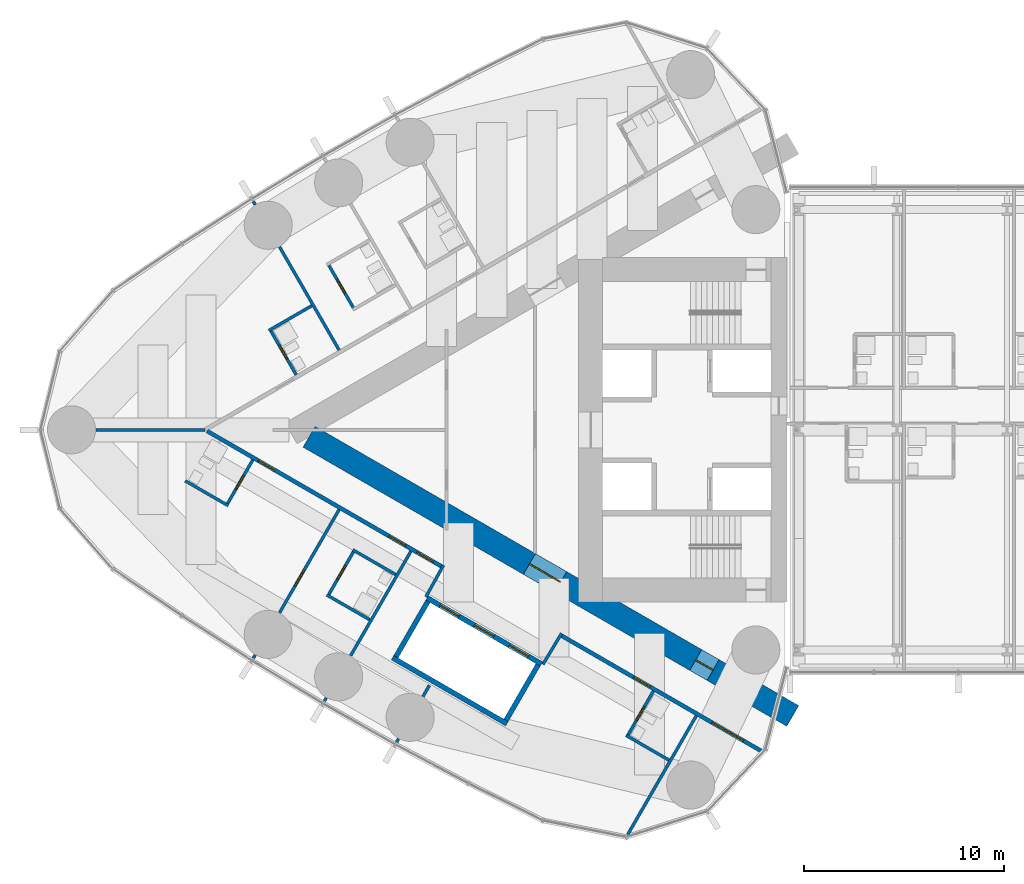
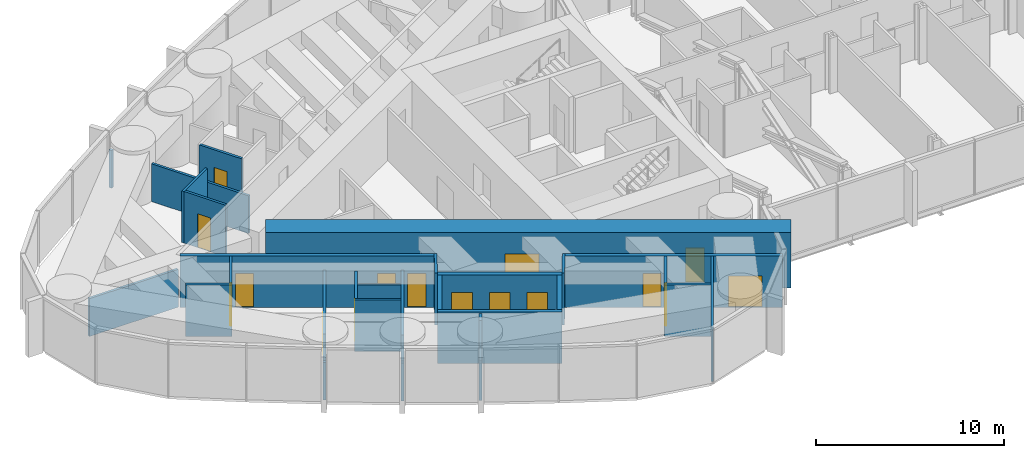
# One storey, part 14 of 23: 29 walls, 16 doors, 16 openings.
"""IFC4 building model written with IfcOpenShell, lengths in metres."""

from ifc_helpers import new_model, si_unit, direction, frame, frame_2d, origin, place, context, subcontext, project, spatial, rectangle, extrude, material, layer, layer_set, type_object, element, fill, save


model = new_model("IFC4")

# Units and contexts
model_context = context("Model", 3, precision=1e-05, world=origin(), true_north=direction((0.0, 1.0)))
body_context = subcontext(model_context, "Body", "Model", "MODEL_VIEW")
ifc_project = project(units=[si_unit("LENGTHUNIT", "METRE"), si_unit("AREAUNIT", "SQUARE_METRE"), si_unit("VOLUMEUNIT", "CUBIC_METRE"), si_unit("PLANEANGLEUNIT", "RADIAN"), si_unit("MASSUNIT", "GRAM", prefix="KILO")], contexts=[model_context])

# Site, building, storey
site_placement = place(None, origin())
site = spatial("IfcSite", under=ifc_project, at=site_placement, CompositionType="ELEMENT")
building_placement = place(site_placement, origin())
building = spatial("IfcBuilding", under=site, at=building_placement, Name="Lancet Gate Hotel", CompositionType="ELEMENT")
storey_placement = place(building_placement, frame((0.0, 0.0, 218.89990234375)))
storey = spatial("IfcBuildingStorey", under=building, at=storey_placement, Name="L58", CompositionType="ELEMENT", Elevation=218.89990234375)

# Wall, opening, door
ifc_material_1 = material(Name="Moisture resistant board partition")
ifc_layer_1 = layer(ifc_material_1, 0.14990234375)
ifc_layer_set_1 = layer_set([ifc_layer_1], Name="Bathroom wall 150")
wall_type_1 = type_object("IfcWallType", Name="Bathroom wall 150", PredefinedType="PARTITIONING", material=ifc_layer_set_1)
wall_1_placement = place(storey_placement, frame((-49.116943359375, 6.033935546875, 0.0), z_axis=(0.0, 0.0, 1.0), x_axis=(-0.500006934395, 0.866021400173, 0.0)))
wall_1 = element("IfcWall", 1, at=wall_1_placement, inside=storey, type_object=wall_type_1, Name="T1 bathroom wall 150 L58", PredefinedType="PARTITIONING", context=body_context, shape_type="SweptSolid", body=[
    extrude(rectangle(XDim=2.60009765625, YDim=0.14990234375, at=frame_2d((1.300048828125, 0.0))), origin(), (0.0, 0.0, 1.0), 3.35009765625),
])
opening_1_placement = place(wall_1_placement, frame((0.89990234375, 0.0, 0.0)))
opening_1 = element("IfcOpeningElement", 2, at=opening_1_placement, cuts=wall_1, Name="Opening 5804-B", PredefinedType="OPENING", context=body_context, shape_type="SweptSolid", body=[
    extrude(rectangle(XDim=0.800048828125, YDim=2.199951171875, at=frame_2d((0.39990234375, 1.10009765625))), frame((0.0, 0.0849609375, 0.0), z_axis=(0.0, -1.0, 0.0), x_axis=(1.0, 0.0, 0.0)), (0.0, 0.0, 1.0), 0.169921875),
])
ifc_material_2 = material(Name="Timber door set", Category="wood")
door_type_1 = type_object("IfcDoorType", Name="Bathroom door 800", OperationType="SINGLE_SWING_RIGHT", PredefinedType="DOOR", material=ifc_material_2)
door_1_placement = place(opening_1_placement, origin())
door_1 = element("IfcDoor", 3, at=door_1_placement, inside=storey, type_object=door_type_1, Name="5804-B", OperationType="SINGLE_SWING_RIGHT", OverallHeight=2.199951171875, OverallWidth=0.800048828125, PredefinedType="DOOR", context=body_context, shape_type="SweptSolid", body=[
    extrude(rectangle(XDim=0.800048828125, YDim=2.199951171875, at=frame_2d((0.39990234375, 1.10009765625))), frame((0.0, 0.02490234375, 0.0), z_axis=(0.0, -1.0, 0.0), x_axis=(1.0, 0.0, 0.0)), (0.0, 0.0, 1.0), 0.050048828125),
])
fill(opening_1, door_1)

# Wall
wall_2_placement = place(storey_placement, frame((-51.231201171875, 6.198974609375, 0.0), z_axis=(0.0, 0.0, 1.0), x_axis=(-0.866031185235, -0.4999899861, 0.0)))
element("IfcWall", 4, at=wall_2_placement, inside=storey, type_object=wall_type_1, Name="T1 bathroom wall 150 L58", PredefinedType="PARTITIONING", context=body_context, shape_type="SweptSolid", body=[
    extrude(rectangle(XDim=2.47509765625, YDim=0.14990234375, at=frame_2d((1.237548828125, 0.0))), origin(), (0.0, 0.0, 1.0), 3.35009765625),
])

# Wall, opening, door
wall_3_placement = place(storey_placement, frame((-52.009765625, 2.747314453125, 0.0), z_axis=(0.0, 0.0, 1.0), x_axis=(-0.500006934395, 0.866021400173, 0.0)))
wall_3 = element("IfcWall", 5, at=wall_3_placement, inside=storey, type_object=wall_type_1, Name="T1 bathroom wall 150 L58", PredefinedType="PARTITIONING", context=body_context, shape_type="SweptSolid", body=[
    extrude(rectangle(XDim=2.60009765625, YDim=0.14990234375, at=frame_2d((1.300048828125, 0.0))), origin(), (0.0, 0.0, 1.0), 3.35009765625),
])
opening_2_placement = place(wall_3_placement, frame((0.89990234375, 0.0, 0.0)))
opening_2 = element("IfcOpeningElement", 6, at=opening_2_placement, cuts=wall_3, Name="Opening 5805-B", PredefinedType="OPENING", context=body_context, shape_type="SweptSolid", body=[
    extrude(rectangle(XDim=0.800048828125, YDim=2.199951171875, at=frame_2d((0.39990234375, 1.10009765625))), frame((0.0, 0.0849609375, 0.0), z_axis=(0.0, -1.0, 0.0), x_axis=(1.0, 0.0, 0.0)), (0.0, 0.0, 1.0), 0.169921875),
])
door_2_placement = place(opening_2_placement, origin())
door_2 = element("IfcDoor", 7, at=door_2_placement, inside=storey, type_object=door_type_1, Name="5805-B", OperationType="SINGLE_SWING_RIGHT", OverallHeight=2.199951171875, OverallWidth=0.800048828125, PredefinedType="DOOR", context=body_context, shape_type="SweptSolid", body=[
    extrude(rectangle(XDim=0.800048828125, YDim=2.199951171875, at=frame_2d((0.39990234375, 1.10009765625))), frame((0.0, 0.02490234375, 0.0), z_axis=(0.0, -1.0, 0.0), x_axis=(1.0, 0.0, 0.0)), (0.0, 0.0, 1.0), 0.050048828125),
])
fill(opening_2, door_2)

# Wall
wall_4_placement = place(storey_placement, frame((-55.4111328125, -3.785888671875, 0.0), z_axis=(0.0, 0.0, 1.0), x_axis=(-0.866006523861, 0.500032699561, 0.0)))
element("IfcWall", 8, at=wall_4_placement, inside=storey, type_object=wall_type_1, Name="T1 bathroom wall 150 L58", PredefinedType="PARTITIONING", context=body_context, shape_type="SweptSolid", body=[
    extrude(rectangle(XDim=2.474853515625, YDim=0.14990234375, at=frame_2d((1.2373046875, 0.0))), origin(), (0.0, 0.0, 1.0), 3.35009765625),
])

# Wall, opening, door
wall_5_placement = place(storey_placement, frame((-54.176025390625, -1.49658203125, 0.0), z_axis=(0.0, 0.0, 1.0), x_axis=(-0.500006934395, -0.866021400173, 0.0)))
wall_5 = element("IfcWall", 9, at=wall_5_placement, inside=storey, type_object=wall_type_1, Name="T1 bathroom wall 150 L58", PredefinedType="PARTITIONING", context=body_context, shape_type="SweptSolid", body=[
    extrude(rectangle(XDim=2.60009765625, YDim=0.14990234375, at=frame_2d((1.300048828125, 0.0))), origin(), (0.0, 0.0, 1.0), 3.35009765625),
])
opening_3_placement = place(wall_5_placement, frame((0.89990234375, 0.0, 0.0)))
opening_3 = element("IfcOpeningElement", 10, at=opening_3_placement, cuts=wall_5, Name="Opening 5806-B", PredefinedType="OPENING", context=body_context, shape_type="SweptSolid", body=[
    extrude(rectangle(XDim=0.800048828125, YDim=2.199951171875, at=frame_2d((0.39990234375, 1.10009765625))), frame((0.0, 0.0849609375, 0.0), z_axis=(0.0, -1.0, 0.0), x_axis=(1.0, 0.0, 0.0)), (0.0, 0.0, 1.0), 0.169921875),
])
door_3_placement = place(opening_3_placement, origin())
door_3 = element("IfcDoor", 11, at=door_3_placement, inside=storey, type_object=door_type_1, Name="5806-B", OperationType="SINGLE_SWING_RIGHT", OverallHeight=2.199951171875, OverallWidth=0.800048828125, PredefinedType="DOOR", context=body_context, shape_type="SweptSolid", body=[
    extrude(rectangle(XDim=0.800048828125, YDim=2.199951171875, at=frame_2d((0.39990234375, 1.10009765625))), frame((0.0, 0.02490234375, 0.0), z_axis=(0.0, -1.0, 0.0), x_axis=(1.0, 0.0, 0.0)), (0.0, 0.0, 1.0), 0.050048828125),
])
fill(opening_3, door_3)

# Wall
wall_6_placement = place(storey_placement, frame((-48.338623046875, -9.485595703125, 0.0), z_axis=(0.0, 0.0, 1.0), x_axis=(-0.866006523861, 0.500032699561, 0.0)))
element("IfcWall", 12, at=wall_6_placement, inside=storey, type_object=wall_type_1, Name="T1 bathroom wall 150 L58", PredefinedType="PARTITIONING", context=body_context, shape_type="SweptSolid", body=[
    extrude(rectangle(XDim=2.474853515625, YDim=0.14990234375, at=frame_2d((1.2373046875, 0.0))), origin(), (0.0, 0.0, 1.0), 3.35009765625),
])

# Wall, opening, door
wall_7_placement = place(storey_placement, frame((-49.116943359375, -6.033935546875, 0.0), z_axis=(0.0, 0.0, 1.0), x_axis=(-0.500006934395, -0.866021400173, 0.0)))
wall_7 = element("IfcWall", 13, at=wall_7_placement, inside=storey, type_object=wall_type_1, Name="T1 bathroom wall 150 L58", PredefinedType="PARTITIONING", context=body_context, shape_type="SweptSolid", body=[
    extrude(rectangle(XDim=2.60009765625, YDim=0.14990234375, at=frame_2d((1.300048828125, 0.0))), origin(), (0.0, 0.0, 1.0), 3.35009765625),
])
opening_4_placement = place(wall_7_placement, frame((0.89990234375, 0.0, 0.0)))
opening_4 = element("IfcOpeningElement", 14, at=opening_4_placement, cuts=wall_7, Name="Opening 5807-B", PredefinedType="OPENING", context=body_context, shape_type="SweptSolid", body=[
    extrude(rectangle(XDim=0.800048828125, YDim=2.199951171875, at=frame_2d((0.39990234375, 1.10009765625))), frame((0.0, 0.0849609375, 0.0), z_axis=(0.0, -1.0, 0.0), x_axis=(1.0, 0.0, 0.0)), (0.0, 0.0, 1.0), 0.169921875),
])
door_4_placement = place(opening_4_placement, origin())
door_4 = element("IfcDoor", 15, at=door_4_placement, inside=storey, type_object=door_type_1, Name="5807-B", OperationType="SINGLE_SWING_RIGHT", OverallHeight=2.199951171875, OverallWidth=0.800048828125, PredefinedType="DOOR", context=body_context, shape_type="SweptSolid", body=[
    extrude(rectangle(XDim=0.800048828125, YDim=2.199951171875, at=frame_2d((0.39990234375, 1.10009765625))), frame((0.0, 0.02490234375, 0.0), z_axis=(0.0, -1.0, 0.0), x_axis=(1.0, 0.0, 0.0)), (0.0, 0.0, 1.0), 0.050048828125),
])
fill(opening_4, door_4)

# Walls
wall_8_placement = place(storey_placement, frame((-47.03857421875, -7.23388671875, 0.0), z_axis=(0.0, 0.0, 1.0), x_axis=(-0.866073894602, 0.499916002032, 0.0)))
element("IfcWall", 16, at=wall_8_placement, inside=storey, type_object=wall_type_1, Name="T1 bathroom wall 150 L58", PredefinedType="PARTITIONING", context=body_context, shape_type="SweptSolid", body=[
    extrude(rectangle(XDim=2.47509765625, YDim=0.14990234375, at=frame_2d((1.237548828125, 0.0))), origin(), (0.0, 0.0, 1.0), 2.5),
])
wall_9_placement = place(storey_placement, frame((-33.38671875, -16.501708984375, 0.0), z_axis=(0.0, 0.0, 1.0), x_axis=(-0.866006523861, 0.500032699561, 0.0)))
element("IfcWall", 17, at=wall_9_placement, inside=storey, type_object=wall_type_1, Name="T1 bathroom wall 150 L58", PredefinedType="PARTITIONING", context=body_context, shape_type="SweptSolid", body=[
    extrude(rectangle(XDim=2.474853515625, YDim=0.14990234375, at=frame_2d((1.2373046875, 0.0))), origin(), (0.0, 0.0, 1.0), 3.35009765625),
])

# Wall, opening, door
wall_10_placement = place(storey_placement, frame((-34.1650390625, -13.050048828125, 0.0), z_axis=(0.0, 0.0, 1.0), x_axis=(-0.500047596559, -0.865997922154, 0.0)))
wall_10 = element("IfcWall", 18, at=wall_10_placement, inside=storey, type_object=wall_type_1, Name="T1 bathroom wall 150 L58", PredefinedType="PARTITIONING", context=body_context, shape_type="SweptSolid", body=[
    extrude(rectangle(XDim=2.599853515625, YDim=0.14990234375, at=frame_2d((1.2998046875, 0.0))), origin(), (0.0, 0.0, 1.0), 3.35009765625),
])
opening_5_placement = place(wall_10_placement, frame((0.89990234375, 0.0, 0.0)))
opening_5 = element("IfcOpeningElement", 19, at=opening_5_placement, cuts=wall_10, Name="Opening 5809-B", PredefinedType="OPENING", context=body_context, shape_type="SweptSolid", body=[
    extrude(rectangle(XDim=0.800048828125, YDim=2.199951171875, at=frame_2d((0.39990234375, 1.10009765625))), frame((0.0, 0.0849609375, 0.0), z_axis=(0.0, -1.0, 0.0), x_axis=(1.0, 0.0, 0.0)), (0.0, 0.0, 1.0), 0.169921875),
])
door_5_placement = place(opening_5_placement, origin())
door_5 = element("IfcDoor", 20, at=door_5_placement, inside=storey, type_object=door_type_1, Name="5809-B", OperationType="SINGLE_SWING_RIGHT", OverallHeight=2.199951171875, OverallWidth=0.800048828125, PredefinedType="DOOR", context=body_context, shape_type="SweptSolid", body=[
    extrude(rectangle(XDim=0.800048828125, YDim=2.199951171875, at=frame_2d((0.39990234375, 1.10009765625))), frame((0.0, 0.02490234375, 0.0), z_axis=(0.0, -1.0, 0.0), x_axis=(1.0, 0.0, 0.0)), (0.0, 0.0, 1.0), 0.050048828125),
])
fill(opening_5, door_5)

# Wall, openings, doors
ifc_material_3 = material(Name="Concrete C70/85", Category="concrete")
ifc_layer_2 = layer(ifc_material_3, 1.199951171875)
ifc_layer_set_2 = layer_set([ifc_layer_2], Name="Buttress wall 1200")
wall_type_2 = type_object("IfcWallType", Name="Buttress wall 1200", PredefinedType="SHEAR", material=ifc_layer_set_2)
wall_11_placement = place(storey_placement, frame((-27.199951171875, -14.300048828125, 0.0), z_axis=(0.0, 0.0, 1.0), x_axis=(-0.866024021859, 0.500002393557, 0.0)))
wall_11 = element("IfcWall", 21, at=wall_11_placement, inside=storey, type_object=wall_type_2, Name="T1 buttress wall N L58", PredefinedType="SHEAR", context=body_context, shape_type="SweptSolid", body=[
    extrude(rectangle(XDim=27.906982421875, YDim=1.199951171875, at=frame_2d((13.95361328125, 0.0))), origin(), (0.0, 0.0, 1.0), 3.60009765625),
])
opening_6_placement = place(wall_11_placement, frame((4.60009765625, 0.0, 0.0)))
opening_6 = element("IfcOpeningElement", 22, at=opening_6_placement, cuts=wall_11, Name="Opening T1-L58-LN", PredefinedType="OPENING", context=body_context, shape_type="SweptSolid", body=[
    extrude(rectangle(XDim=1.0, YDim=2.199951171875, at=frame_2d((0.5, 1.10009765625))), frame((0.0, 0.60986328125, 0.0), z_axis=(0.0, -1.0, 0.0), x_axis=(1.0, 0.0, 0.0)), (0.0, 0.0, 1.0), 1.219970703125),
])
opening_7_placement = place(wall_11_placement, frame((13.39453125, 0.0, 0.0)))
opening_7 = element("IfcOpeningElement", 23, at=opening_7_placement, cuts=wall_11, Name="Opening T1-L58-LHN", PredefinedType="OPENING", context=body_context, shape_type="SweptSolid", body=[
    extrude(rectangle(XDim=1.800048828125, YDim=2.199951171875, at=frame_2d((0.89990234375, 1.10009765625))), frame((0.0, 0.60986328125, 0.0), z_axis=(0.0, -1.0, 0.0), x_axis=(1.0, 0.0, 0.0)), (0.0, 0.0, 1.0), 1.219970703125),
])
ifc_material_4 = material(Name="Timber door set", Category="wood")
door_type_2 = type_object("IfcDoorType", Name="Lobby double door 1800", OperationType="DOUBLE_DOOR_SINGLE_SWING", PredefinedType="DOOR", material=ifc_material_4)
door_6_placement = place(opening_7_placement, origin())
door_6 = element("IfcDoor", 24, at=door_6_placement, inside=storey, type_object=door_type_2, Name="T1-L58-LHN", OperationType="DOUBLE_DOOR_SINGLE_SWING", OverallHeight=2.199951171875, OverallWidth=1.800048828125, PredefinedType="DOOR", context=body_context, shape_type="SweptSolid", body=[
    extrude(rectangle(XDim=1.800048828125, YDim=2.199951171875, at=frame_2d((0.89990234375, 1.10009765625))), frame((0.0, 0.02490234375, 0.0), z_axis=(0.0, -1.0, 0.0), x_axis=(1.0, 0.0, 0.0)), (0.0, 0.0, 1.0), 0.050048828125),
])
fill(opening_7, door_6)
ifc_material_5 = material(Name="Timber door set", Category="wood")
door_type_3 = type_object("IfcDoorType", Name="Stair lobby door 1000", OperationType="SINGLE_SWING_LEFT", PredefinedType="DOOR", material=ifc_material_5)
door_7_placement = place(opening_6_placement, origin())
door_7 = element("IfcDoor", 25, at=door_7_placement, inside=storey, type_object=door_type_3, Name="T1-L58-LN", OperationType="SINGLE_SWING_LEFT", OverallHeight=2.199951171875, OverallWidth=1.0, PredefinedType="DOOR", context=body_context, shape_type="SweptSolid", body=[
    extrude(rectangle(XDim=1.0, YDim=2.199951171875, at=frame_2d((0.5, 1.10009765625))), frame((0.0, 0.02490234375, 0.0), z_axis=(0.0, -1.0, 0.0), x_axis=(1.0, 0.0, 0.0)), (0.0, 0.0, 1.0), 0.050048828125),
])
fill(opening_6, door_7)

ifc_material_6 = material(Name="Gypsum board partition")
ifc_layer_3 = layer(ifc_material_6, 0.199951171875)
ifc_layer_set_3 = layer_set([ifc_layer_3], Name="Corridor wall 200")
wall_type_3 = type_object("IfcWallType", Name="Corridor wall 200", PredefinedType="PARTITIONING", material=ifc_layer_set_3)
wall_12_placement = place(storey_placement, frame((-28.737060546875, -16.068359375, 0.0), z_axis=(0.0, 0.0, 1.0), x_axis=(-0.866029399323, 0.49999307946, 0.0)))
wall_12 = element("IfcWall", 26, at=wall_12_placement, inside=storey, type_object=wall_type_3, Name="T1 corridor wall 200 L58", PredefinedType="PARTITIONING", context=body_context, shape_type="SweptSolid", body=[
    extrude(rectangle(XDim=11.609619140625, YDim=0.199951171875, at=frame_2d((5.8046875, 0.0))), origin(), (0.0, 0.0, 1.0), 3.35009765625),
])
opening_8_placement = place(wall_12_placement, frame((1.080078125, 0.0, 0.0)))
opening_8 = element("IfcOpeningElement", 27, at=opening_8_placement, cuts=wall_12, Name="Opening 5810-E", PredefinedType="OPENING", context=body_context, shape_type="SweptSolid", body=[
    extrude(rectangle(XDim=1.800048828125, YDim=2.030029296875, at=frame_2d((0.89990234375, 1.01513671875))), frame((0.0, 0.10986328125, 0.0), z_axis=(0.0, -1.0, 0.0), x_axis=(1.0, 0.0, 0.0)), (0.0, 0.0, 1.0), 0.219970703125),
])
opening_9_placement = place(wall_12_placement, frame((6.460205078125, 0.0, 0.0)))
opening_9 = element("IfcOpeningElement", 28, at=opening_9_placement, cuts=wall_12, Name="Opening 5809-E", PredefinedType="OPENING", context=body_context, shape_type="SweptSolid", body=[
    extrude(rectangle(XDim=0.949951171875, YDim=2.199951171875, at=frame_2d((0.47509765625, 1.10009765625))), frame((0.0, 0.10986328125, 0.0), z_axis=(0.0, -1.0, 0.0), x_axis=(1.0, 0.0, 0.0)), (0.0, 0.0, 1.0), 0.219970703125),
])
ifc_material_7 = material(Name="Timber door set", Category="wood")
door_type_4 = type_object("IfcDoorType", Name="Double door 1800, 2030 high", OperationType="DOUBLE_DOOR_SINGLE_SWING", PredefinedType="DOOR", material=ifc_material_7)
door_8_placement = place(opening_8_placement, origin())
door_8 = element("IfcDoor", 29, at=door_8_placement, inside=storey, type_object=door_type_4, Name="5810-E", OperationType="DOUBLE_DOOR_SINGLE_SWING", OverallHeight=2.030029296875, OverallWidth=1.800048828125, PredefinedType="DOOR", context=body_context, shape_type="SweptSolid", body=[
    extrude(rectangle(XDim=1.800048828125, YDim=2.030029296875, at=frame_2d((0.89990234375, 1.01513671875))), frame((0.0, 0.02490234375, 0.0), z_axis=(0.0, -1.0, 0.0), x_axis=(1.0, 0.0, 0.0)), (0.0, 0.0, 1.0), 0.050048828125),
])
fill(opening_8, door_8)
ifc_material_8 = material(Name="Timber door set", Category="wood")
door_type_5 = type_object("IfcDoorType", Name="Guest room entry door 950", OperationType="SINGLE_SWING_LEFT", PredefinedType="DOOR", material=ifc_material_8)
door_9_placement = place(opening_9_placement, origin())
door_9 = element("IfcDoor", 30, at=door_9_placement, inside=storey, type_object=door_type_5, Name="5809-E", OperationType="SINGLE_SWING_LEFT", OverallHeight=2.199951171875, OverallWidth=0.949951171875, PredefinedType="DOOR", context=body_context, shape_type="SweptSolid", body=[
    extrude(rectangle(XDim=0.949951171875, YDim=2.199951171875, at=frame_2d((0.47509765625, 1.10009765625))), frame((0.0, 0.02490234375, 0.0), z_axis=(0.0, -1.0, 0.0), x_axis=(1.0, 0.0, 0.0)), (0.0, 0.0, 1.0), 0.050048828125),
])
fill(opening_9, door_9)

wall_13_placement = place(storey_placement, frame((-44.715087890625, -6.843505859375, 0.0), z_axis=(0.0, 0.0, 1.0), x_axis=(-0.866025261224, 0.500000246922, 0.0)))
wall_13 = element("IfcWall", 31, at=wall_13_placement, inside=storey, type_object=wall_type_3, Name="T1 corridor wall 200 L58", PredefinedType="PARTITIONING", context=body_context, shape_type="SweptSolid", body=[
    extrude(rectangle(XDim=13.56689453125, YDim=0.199951171875, at=frame_2d((6.783447265625, 0.0))), origin(), (0.0, 0.0, 1.0), 3.35009765625),
])
opening_10_placement = place(wall_13_placement, frame((9.6669921875, 0.0, 0.0)))
opening_10 = element("IfcOpeningElement", 32, at=opening_10_placement, cuts=wall_13, Name="Opening 5806-E", PredefinedType="OPENING", context=body_context, shape_type="SweptSolid", body=[
    extrude(rectangle(XDim=0.949951171875, YDim=2.199951171875, at=frame_2d((0.47509765625, 1.10009765625))), frame((0.0, 0.10986328125, 0.0), z_axis=(0.0, -1.0, 0.0), x_axis=(1.0, 0.0, 0.0)), (0.0, 0.0, 1.0), 0.219970703125),
])
opening_11_placement = place(wall_13_placement, frame((2.116943359375, 0.0, 0.0)))
opening_11 = element("IfcOpeningElement", 33, at=opening_11_placement, cuts=wall_13, Name="Opening 5807-E", PredefinedType="OPENING", context=body_context, shape_type="SweptSolid", body=[
    extrude(rectangle(XDim=0.949951171875, YDim=2.199951171875, at=frame_2d((0.47509765625, 1.10009765625))), frame((0.0, 0.10986328125, 0.0), z_axis=(0.0, -1.0, 0.0), x_axis=(1.0, 0.0, 0.0)), (0.0, 0.0, 1.0), 0.219970703125),
])
opening_12_placement = place(wall_13_placement, frame((0.5, 0.0, 0.0)))
opening_12 = element("IfcOpeningElement", 34, at=opening_12_placement, cuts=wall_13, Name="Opening T1-L58-LO1", PredefinedType="OPENING", context=body_context, shape_type="SweptSolid", body=[
    extrude(rectangle(XDim=0.967041015625, YDim=2.199951171875, at=frame_2d((0.4833984375, 1.10009765625))), frame((0.0, 0.10986328125, 0.0), z_axis=(0.0, -1.0, 0.0), x_axis=(1.0, 0.0, 0.0)), (0.0, 0.0, 1.0), 0.219970703125),
])
door_10_placement = place(opening_10_placement, origin())
door_10 = element("IfcDoor", 35, at=door_10_placement, inside=storey, type_object=door_type_5, Name="5806-E", OperationType="SINGLE_SWING_LEFT", OverallHeight=2.199951171875, OverallWidth=0.949951171875, PredefinedType="DOOR", context=body_context, shape_type="SweptSolid", body=[
    extrude(rectangle(XDim=0.949951171875, YDim=2.199951171875, at=frame_2d((0.47509765625, 1.10009765625))), frame((0.0, 0.02490234375, 0.0), z_axis=(0.0, -1.0, 0.0), x_axis=(1.0, 0.0, 0.0)), (0.0, 0.0, 1.0), 0.050048828125),
])
fill(opening_10, door_10)
door_11_placement = place(opening_11_placement, origin())
door_11 = element("IfcDoor", 36, at=door_11_placement, inside=storey, type_object=door_type_5, Name="5807-E", OperationType="SINGLE_SWING_LEFT", OverallHeight=2.199951171875, OverallWidth=0.949951171875, PredefinedType="DOOR", context=body_context, shape_type="SweptSolid", body=[
    extrude(rectangle(XDim=0.949951171875, YDim=2.199951171875, at=frame_2d((0.47509765625, 1.10009765625))), frame((0.0, 0.02490234375, 0.0), z_axis=(0.0, -1.0, 0.0), x_axis=(1.0, 0.0, 0.0)), (0.0, 0.0, 1.0), 0.050048828125),
])
fill(opening_11, door_11)
door_12_placement = place(opening_12_placement, origin())
door_12 = element("IfcDoor", 37, at=door_12_placement, inside=storey, type_object=door_type_5, Name="T1-L58-LO1", OperationType="SINGLE_SWING_LEFT", OverallHeight=2.199951171875, OverallWidth=0.967041015625, PredefinedType="DOOR", context=body_context, shape_type="SweptSolid", body=[
    extrude(rectangle(XDim=0.967041015625, YDim=2.199951171875, at=frame_2d((0.4833984375, 1.10009765625))), frame((0.0, 0.02490234375, 0.0), z_axis=(0.0, -1.0, 0.0), x_axis=(1.0, 0.0, 0.0)), (0.0, 0.0, 1.0), 0.050048828125),
])
fill(opening_12, door_12)

ifc_material_9 = material(Name="Gypsum board partition")
ifc_layer_4 = layer(ifc_material_9, 0.25)
ifc_layer_set_4 = layer_set([ifc_layer_4], Name="Lift shaft partition 250")
wall_type_4 = type_object("IfcWallType", Name="Lift shaft partition 250", PredefinedType="PARTITIONING", material=ifc_layer_set_4)
wall_14_placement = place(storey_placement, frame((-39.757568359375, -11.697265625, 0.0), z_axis=(0.0, 0.0, 1.0), x_axis=(-0.866024194504, 0.500002094529, 0.0)))
wall_14 = element("IfcWall", 38, at=wall_14_placement, inside=storey, type_object=wall_type_4, Name="T1 lift shaft wall HL L58", PredefinedType="PARTITIONING", context=body_context, shape_type="SweptSolid", body=[
    extrude(rectangle(XDim=6.60009765625, YDim=0.25, at=frame_2d((3.300048828125, 0.0))), origin(), (0.0, 0.0, 1.0), 3.35009765625),
])
opening_13_placement = place(wall_14_placement, frame((0.75, 0.0, 0.0)))
opening_13 = element("IfcOpeningElement", 39, at=opening_13_placement, cuts=wall_14, Name="Opening T1-HL1-L58", PredefinedType="OPENING", context=body_context, shape_type="SweptSolid", body=[
    extrude(rectangle(XDim=1.10009765625, YDim=2.199951171875, at=frame_2d((0.550048828125, 1.10009765625))), frame((0.0, 0.135009765625, 0.0), z_axis=(0.0, -1.0, 0.0), x_axis=(1.0, 0.0, 0.0)), (0.0, 0.0, 1.0), 0.27001953125),
])
opening_14_placement = place(wall_14_placement, frame((2.75, 0.0, 0.0)))
opening_14 = element("IfcOpeningElement", 40, at=opening_14_placement, cuts=wall_14, Name="Opening T1-HL2-L58", PredefinedType="OPENING", context=body_context, shape_type="SweptSolid", body=[
    extrude(rectangle(XDim=1.10009765625, YDim=2.199951171875, at=frame_2d((0.550048828125, 1.10009765625))), frame((0.0, 0.135009765625, 0.0), z_axis=(0.0, -1.0, 0.0), x_axis=(1.0, 0.0, 0.0)), (0.0, 0.0, 1.0), 0.27001953125),
])
opening_15_placement = place(wall_14_placement, frame((4.75, 0.0, 0.0)))
opening_15 = element("IfcOpeningElement", 41, at=opening_15_placement, cuts=wall_14, Name="Opening T1-HL3-L58", PredefinedType="OPENING", context=body_context, shape_type="SweptSolid", body=[
    extrude(rectangle(XDim=1.10009765625, YDim=2.199951171875, at=frame_2d((0.550048828125, 1.10009765625))), frame((0.0, 0.135009765625, 0.0), z_axis=(0.0, -1.0, 0.0), x_axis=(1.0, 0.0, 0.0)), (0.0, 0.0, 1.0), 0.27001953125),
])
ifc_material_10 = material(Name="Steel door set", Category="steel")
door_type_6 = type_object("IfcDoorType", Name="Lift landing door 1100", OperationType="DOUBLE_DOOR_SLIDING", PredefinedType="USERDEFINED", material=ifc_material_10)
door_13_placement = place(opening_13_placement, origin())
door_13 = element("IfcDoor", 42, at=door_13_placement, inside=storey, type_object=door_type_6, Name="T1-HL1-L58", ObjectType="LIFT LANDING DOOR", OperationType="DOUBLE_DOOR_SLIDING", OverallHeight=2.199951171875, OverallWidth=1.10009765625, PredefinedType="USERDEFINED", context=body_context, shape_type="SweptSolid", body=[
    extrude(rectangle(XDim=1.10009765625, YDim=2.199951171875, at=frame_2d((0.550048828125, 1.10009765625))), frame((0.0, 0.02490234375, 0.0), z_axis=(0.0, -1.0, 0.0), x_axis=(1.0, 0.0, 0.0)), (0.0, 0.0, 1.0), 0.050048828125),
])
fill(opening_13, door_13)
door_14_placement = place(opening_14_placement, origin())
door_14 = element("IfcDoor", 43, at=door_14_placement, inside=storey, type_object=door_type_6, Name="T1-HL2-L58", ObjectType="LIFT LANDING DOOR", OperationType="DOUBLE_DOOR_SLIDING", OverallHeight=2.199951171875, OverallWidth=1.10009765625, PredefinedType="USERDEFINED", context=body_context, shape_type="SweptSolid", body=[
    extrude(rectangle(XDim=1.10009765625, YDim=2.199951171875, at=frame_2d((0.550048828125, 1.10009765625))), frame((0.0, 0.02490234375, 0.0), z_axis=(0.0, -1.0, 0.0), x_axis=(1.0, 0.0, 0.0)), (0.0, 0.0, 1.0), 0.050048828125),
])
fill(opening_14, door_14)
door_15_placement = place(opening_15_placement, origin())
door_15 = element("IfcDoor", 44, at=door_15_placement, inside=storey, type_object=door_type_6, Name="T1-HL3-L58", ObjectType="LIFT LANDING DOOR", OperationType="DOUBLE_DOOR_SLIDING", OverallHeight=2.199951171875, OverallWidth=1.10009765625, PredefinedType="USERDEFINED", context=body_context, shape_type="SweptSolid", body=[
    extrude(rectangle(XDim=1.10009765625, YDim=2.199951171875, at=frame_2d((0.550048828125, 1.10009765625))), frame((0.0, 0.02490234375, 0.0), z_axis=(0.0, -1.0, 0.0), x_axis=(1.0, 0.0, 0.0)), (0.0, 0.0, 1.0), 0.050048828125),
])
fill(opening_15, door_15)

# Walls
wall_15_placement = place(storey_placement, frame((-41.482421875, -14.685791015625, 0.0), z_axis=(0.0, 0.0, 1.0), x_axis=(-0.86603344179, 0.499986077507, 0.0)))
element("IfcWall", 45, at=wall_15_placement, inside=storey, type_object=wall_type_4, Name="T1 lift shaft wall HL L58", PredefinedType="PARTITIONING", context=body_context, shape_type="SweptSolid", body=[
    extrude(rectangle(XDim=6.600341796875, YDim=0.25, at=frame_2d((3.30029296875, 0.0))), origin(), (0.0, 0.0, 1.0), 3.35009765625),
])
for number, where, z_axis, x_axis, name in (
    (46, (-39.92822265625, -11.742919921875, 0.0), (0.0, 0.0, 1.0), (-0.499929347863, -0.866066190972, 0.0), "T1 lift shaft wall HL L58"),
    (47, (-45.427734375, -8.568115234375, 0.0), (0.0, 0.0, 1.0), (-0.499929347863, -0.866066190972, 0.0), "T1 lift shaft wall HL L58"),
):
    element("IfcWall", number, at=place(storey_placement, frame(where, z_axis=z_axis, x_axis=x_axis)), inside=storey, type_object=wall_type_4, Name=name, PredefinedType="PARTITIONING", context=body_context, shape_type="SweptSolid", body=[
        extrude(rectangle(XDim=3.20068359375, YDim=0.25, at=frame_2d((1.600341796875, 0.0))), origin(), (0.0, 0.0, 1.0), 3.35009765625),
    ])
ifc_material_11 = material(Name="Gypsum board partition")
ifc_layer_5 = layer(ifc_material_11, 0.14990234375)
ifc_layer_set_5 = layer_set([ifc_layer_5], Name="Party wall 150")
wall_type_5 = type_object("IfcWallType", Name="Party wall 150", PredefinedType="PARTITIONING", material=ifc_layer_set_5)
wall_16_placement = place(storey_placement, frame((-49.866455078125, 3.98486328125, 0.0), z_axis=(0.0, 0.0, 1.0), x_axis=(-0.500000694566, 0.866025002776, 0.0)))
element("IfcWall", 48, at=wall_16_placement, inside=storey, type_object=wall_type_5, Name="T1 party wall 150 L58", PredefinedType="PARTITIONING", context=body_context, shape_type="SweptSolid", body=[
    extrude(rectangle(XDim=5.94970703125, YDim=0.14990234375, at=frame_2d((2.974853515625, 0.0))), origin(), (0.0, 0.0, 1.0), 2.4501953125),
])
wall_17_placement = place(storey_placement, frame((-54.061279296875, 11.25048828125, 0.0), z_axis=(0.0, 0.0, 1.0), x_axis=(-0.500391173478, 0.865799441849, 0.0)))
element("IfcWall", 49, at=wall_17_placement, inside=storey, type_object=wall_type_5, Name="T1 party wall 150 L58", PredefinedType="PARTITIONING", context=body_context, shape_type="SweptSolid", body=[
    extrude(rectangle(XDim=0.178955078125, YDim=0.14990234375, at=frame_2d((0.08935546875, 0.0))), origin(), (0.0, 0.0, 1.0), 2.4501953125),
])
wall_18_placement = place(storey_placement, frame((-32.021728515625, -14.287353515625, 0.0), z_axis=(0.0, 0.0, 1.0), x_axis=(-0.50000019414, -0.866025291697, 0.0)))
element("IfcWall", 50, at=wall_18_placement, inside=storey, type_object=wall_type_5, Name="T1 party wall 150 L58", PredefinedType="PARTITIONING", context=body_context, shape_type="SweptSolid", body=[
    extrude(rectangle(XDim=6.84814453125, YDim=0.14990234375, at=frame_2d((3.424072265625, 0.0))), origin(), (0.0, 0.0, 1.0), 3.35009765625),
])
wall_19_placement = place(storey_placement, frame((-46.89794921875, -15.438720703125, 0.0), z_axis=(0.0, 0.0, 1.0), x_axis=(-0.500232303069, -0.865891241997, 0.0)))
element("IfcWall", 51, at=wall_19_placement, inside=storey, type_object=wall_type_5, Name="T1 party wall 150 L58", PredefinedType="PARTITIONING", context=body_context, shape_type="SweptSolid", body=[
    extrude(rectangle(XDim=0.1796875, YDim=0.14990234375, at=frame_2d((0.08984375, 0.0))), origin(), (0.0, 0.0, 1.0), 2.4501953125),
])
wall_20_placement = place(storey_placement, frame((-46.273681640625, -6.05908203125, 0.0), z_axis=(0.0, 0.0, 1.0), x_axis=(-0.500020471368, -0.866013584312, 0.0)))
element("IfcWall", 52, at=wall_20_placement, inside=storey, type_object=wall_type_5, Name="T1 party wall 150 L58", PredefinedType="PARTITIONING", context=body_context, shape_type="SweptSolid", body=[
    extrude(rectangle(XDim=6.027587890625, YDim=0.14990234375, at=frame_2d((3.013671875, 0.0))), origin(), (0.0, 0.0, 1.0), 2.4501953125),
])
wall_21_placement = place(storey_placement, frame((-50.507568359375, -13.392333984375, 0.0), z_axis=(0.0, 0.0, 1.0), x_axis=(-0.499644091975, -0.866230789891, 0.0)))
element("IfcWall", 53, at=wall_21_placement, inside=storey, type_object=wall_type_5, Name="T1 party wall 150 L58", PredefinedType="PARTITIONING", context=body_context, shape_type="SweptSolid", body=[
    extrude(rectangle(XDim=0.179931640625, YDim=0.14990234375, at=frame_2d((0.08984375, 0.0))), origin(), (0.0, 0.0, 1.0), 2.4501953125),
])

# Wall, opening, door
wall_22_placement = place(storey_placement, frame((-49.866455078125, -3.98486328125, 0.0), z_axis=(0.0, 0.0, 1.0), x_axis=(-0.500000694566, -0.866025002776, 0.0)))
wall_22 = element("IfcWall", 54, at=wall_22_placement, inside=storey, type_object=wall_type_5, Name="T1 party wall 150 L58", PredefinedType="PARTITIONING", context=body_context, shape_type="SweptSolid", body=[
    extrude(rectangle(XDim=5.94970703125, YDim=0.14990234375, at=frame_2d((2.974853515625, 0.0))), origin(), (0.0, 0.0, 1.0), 2.4501953125),
])
opening_16_placement = place(wall_22_placement, frame((3.5, 0.0, 0.0)))
opening_16 = element("IfcOpeningElement", 55, at=opening_16_placement, cuts=wall_22, Name="Opening 5806C", PredefinedType="OPENING", context=body_context, shape_type="SweptSolid", body=[
    extrude(rectangle(XDim=0.89990234375, YDim=2.199951171875, at=frame_2d((0.449951171875, 1.10009765625))), frame((0.0, 0.0849609375, 0.0), z_axis=(0.0, -1.0, 0.0), x_axis=(1.0, 0.0, 0.0)), (0.0, 0.0, 1.0), 0.169921875),
])
ifc_material_12 = material(Name="Timber door set", Category="wood")
door_type_7 = type_object("IfcDoorType", Name="Connecting door 900", OperationType="SINGLE_SWING_LEFT", PredefinedType="DOOR", material=ifc_material_12)
door_16_placement = place(opening_16_placement, origin())
door_16 = element("IfcDoor", 56, at=door_16_placement, inside=storey, type_object=door_type_7, Name="5806C", OperationType="SINGLE_SWING_LEFT", OverallHeight=2.199951171875, OverallWidth=0.89990234375, PredefinedType="DOOR", context=body_context, shape_type="SweptSolid", body=[
    extrude(rectangle(XDim=0.89990234375, YDim=2.199951171875, at=frame_2d((0.449951171875, 1.10009765625))), frame((0.0, 0.02490234375, 0.0), z_axis=(0.0, -1.0, 0.0), x_axis=(1.0, 0.0, 0.0)), (0.0, 0.0, 1.0), 0.050048828125),
])
fill(opening_16, door_16)

# Walls
wall_23_placement = place(storey_placement, frame((-54.061279296875, -11.25048828125, 0.0), z_axis=(0.0, 0.0, 1.0), x_axis=(-0.500391173478, -0.865799441849, 0.0)))
element("IfcWall", 57, at=wall_23_placement, inside=storey, type_object=wall_type_5, Name="T1 party wall 150 L58", PredefinedType="PARTITIONING", context=body_context, shape_type="SweptSolid", body=[
    extrude(rectangle(XDim=0.178955078125, YDim=0.14990234375, at=frame_2d((0.08935546875, 0.0))), origin(), (0.0, 0.0, 1.0), 2.4501953125),
])
wall_24_placement = place(storey_placement, frame((-56.568359375, 0.0, 0.0), z_axis=(0.0, 0.0, 1.0), x_axis=(-1.0, 0.0, 0.0)))
element("IfcWall", 58, at=wall_24_placement, inside=storey, type_object=wall_type_5, Name="T1 party wall 150 L58", PredefinedType="PARTITIONING", context=body_context, shape_type="SweptSolid", body=[
    extrude(rectangle(XDim=5.446044921875, YDim=0.14990234375, at=frame_2d((2.72314453125, 0.0))), origin(), (0.0, 0.0, 1.0), 2.4501953125),
])
wall_25_placement = place(storey_placement, frame((-45.355712890625, -12.767333984375, 0.0), z_axis=(0.0, 0.0, 1.0), x_axis=(-0.499886366516, -0.866091000168, 0.0)))
element("IfcWall", 59, at=wall_25_placement, inside=storey, type_object=wall_type_5, Name="T1 party wall 150 L58", PredefinedType="PARTITIONING", context=body_context, shape_type="SweptSolid", body=[
    extrude(rectangle(XDim=0.644775390625, YDim=0.14990234375, at=frame_2d((0.322265625, 0.0))), origin(), (0.0, 0.0, 1.0), 3.35009765625),
])
ifc_material_13 = material(Name="Gypsum board partition")
ifc_layer_6 = layer(ifc_material_13, 0.14990234375)
ifc_layer_set_6 = layer_set([ifc_layer_6], Name="Service room wall 150")
wall_type_6 = type_object("IfcWallType", Name="Service room wall 150", PredefinedType="PARTITIONING", material=ifc_layer_set_6)
for number, where, z_axis, x_axis, name in (
    (60, (-39.6826171875, -11.717529296875, 0.0), (0.0, 0.0, 1.0), (0.514336634837, 0.857588377991, 0.0), "T1 service room wall 150 L58"),
    (61, (-44.652099609375, -6.764404296875, 0.0), (0.0, 0.0, 1.0), (-0.485424724123, -0.874278466629, 0.0), "T1 service room wall 150 L58"),
):
    element("IfcWall", number, at=place(storey_placement, frame(where, z_axis=z_axis, x_axis=x_axis)), inside=storey, type_object=wall_type_6, Name=name, PredefinedType="PARTITIONING", context=body_context, shape_type="SweptSolid", body=[
        extrude(rectangle(XDim=1.80517578125, YDim=0.14990234375, at=frame_2d((0.902587890625, 0.0))), origin(), (0.0, 0.0, 1.0), 3.35009765625),
    ])

save(model, "model.ifc")
